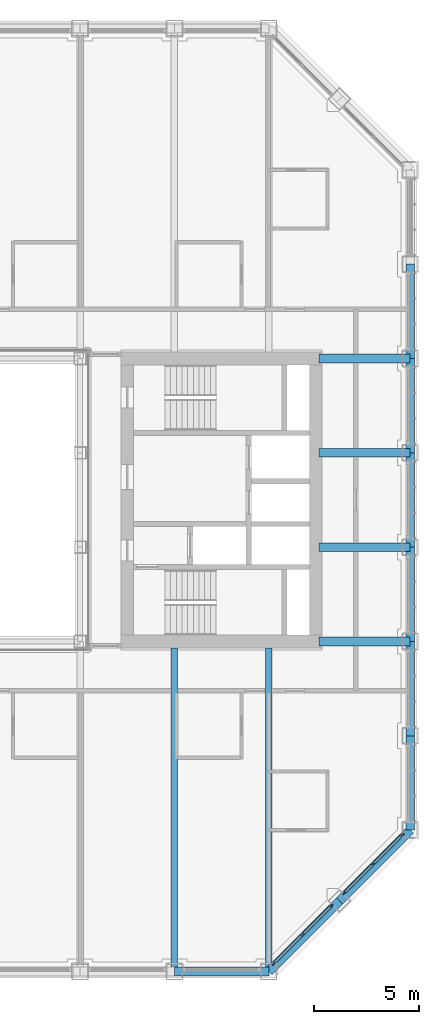
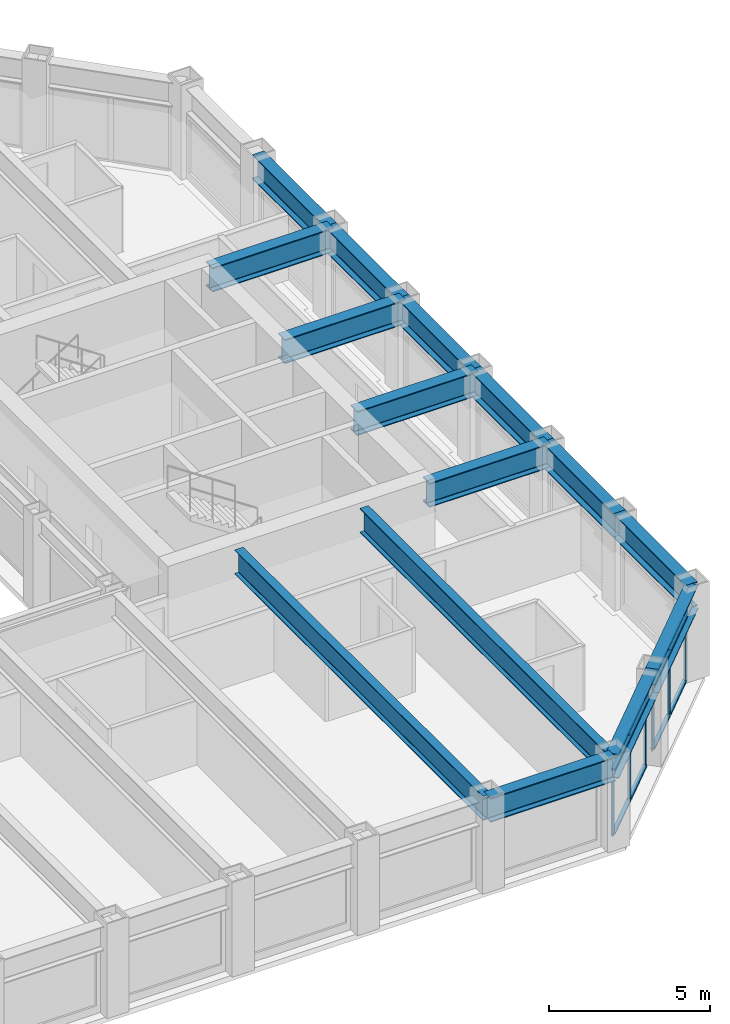
# One storey, part 6 of 17: 15 beams, 14 members, 2 elements without a shape of their own.
"""IFC4 building model written with IfcOpenShell, lengths in metres."""

import ifcopenshell
import ifcopenshell.guid

model = None  # the IFC model being written
_history = None  # IfcOwnerHistory: only IFC2X3 demands one
_inside = {}  # id of a spatial element -> (the spatial element, [elements in it])
_under = {}  # id of a project, library or spatial element -> (it, [spatial elements below it])
_declared = {}  # id of a project -> (the project, [libraries it declares])
_typed = {}  # id of a type object -> (the type object, [elements of that type])
_made_of = {}  # id of a material, layer set ... -> (it, [elements and type objects made of it])


def new_model(schema):
    """Start an empty IFC model of exactly this schema.

    Asked for "IFC4X3", IfcOpenShell would pick the latest addendum, in which some entities
    have other attributes; the version numbers below select the first issue.
    IFC2X3 requires an IfcOwnerHistory on every rooted entity: one is made here for all.
    """
    global model, _history
    if schema == "IFC4X3":
        model = ifcopenshell.file(schema_version=(4, 3, 0, 0))
    else:
        model = ifcopenshell.file(schema=schema)
    _inside.clear()
    _under.clear()
    _declared.clear()
    _typed.clear()
    _made_of.clear()
    _history = None
    if model.schema == "IFC2X3":
        org = make("IfcOrganization", Name="unknown")
        user = make(
            "IfcPersonAndOrganization",
            ThePerson=make("IfcPerson", FamilyName="unknown"),
            TheOrganization=org,
        )
        app = make(
            "IfcApplication",
            ApplicationDeveloper=org,
            Version="unknown",
            ApplicationFullName="unknown",
            ApplicationIdentifier="unknown",
        )
        _history = make(
            "IfcOwnerHistory",
            OwningUser=user,
            OwningApplication=app,
            ChangeAction="ADDED",
            CreationDate=0,
        )
    return model


def make(cls, **values):
    """One entity of the class cls with the attributes given. An attribute that is None is left unset."""
    return model.create_entity(
        cls, **{name: value for name, value in values.items() if value is not None}
    )


def rooted(cls, **values):
    """An entity with a GlobalId (a new one), such as an element, a storey or a relation."""
    return make(cls, GlobalId=ifcopenshell.guid.new(), OwnerHistory=_history, **values)


def si_unit(unit_type, name, prefix=None):
    """IfcSIUnit, for example si_unit("LENGTHUNIT", "METRE", prefix="MILLI")."""
    return make("IfcSIUnit", UnitType=unit_type, Prefix=prefix, Name=name)


def assignment(units):
    """IfcUnitAssignment: the units of a project."""
    return None if units is None else make("IfcUnitAssignment", Units=units)


def point(xyz):
    """IfcCartesianPoint."""
    return None if xyz is None else make("IfcCartesianPoint", Coordinates=xyz)


def direction(xyz):
    """IfcDirection."""
    return None if xyz is None else make("IfcDirection", DirectionRatios=xyz)


def frame(location, z_axis=None, x_axis=None):
    """IfcAxis2Placement3D, a coordinate frame: its origin and axes. An axis left out is left unset."""
    return make(
        "IfcAxis2Placement3D",
        Location=point(location),
        Axis=direction(z_axis),
        RefDirection=direction(x_axis),
    )


def frame_2d(location, x_axis=None):
    """IfcAxis2Placement2D, a coordinate frame in the plane: its origin and x axis."""
    return make(
        "IfcAxis2Placement2D", Location=point(location), RefDirection=direction(x_axis)
    )


def origin():
    """The frame at (0, 0, 0) with its axes left unset."""
    return frame((0.0, 0.0, 0.0))


def origin_2d():
    """The frame at (0, 0) in the plane with its x axis left unset."""
    return frame_2d((0.0, 0.0))


def place(relative_to, where):
    """IfcLocalPlacement: puts the frame where relative to a parent placement (None: the world)."""
    return make(
        "IfcLocalPlacement", PlacementRelTo=relative_to, RelativePlacement=where
    )


def context(
    kind, dimensions, precision=None, world=None, true_north=None, identifier=None
):
    """IfcGeometricRepresentationContext, for example the 3D "Model" context."""
    return make(
        "IfcGeometricRepresentationContext",
        ContextIdentifier=identifier,
        ContextType=kind,
        CoordinateSpaceDimension=dimensions,
        Precision=precision,
        WorldCoordinateSystem=world,
        TrueNorth=true_north,
    )


def subcontext(parent, identifier, kind, view, scale=None):
    """IfcGeometricRepresentationSubContext, for example "Body" below "Model"."""
    return make(
        "IfcGeometricRepresentationSubContext",
        ContextIdentifier=identifier,
        ContextType=kind,
        ParentContext=parent,
        TargetScale=scale,
        TargetView=view,
    )


def project(units=None, contexts=None):
    """IfcProject with its units and contexts."""
    return rooted(
        "IfcProject",
        Name="project",
        RepresentationContexts=contexts,
        UnitsInContext=assignment(units),
    )


def spatial(cls, under=None, at=None, **own):
    """A site, building, storey or space (cls), placed at a placement, below another one or the project."""
    s = rooted(cls, ObjectPlacement=at, **own)
    if under is not None:
        _under.setdefault(under.id(), (under, []))[1].append(s)
    return s


def profile(cls, at=None, kind="AREA", **sizes):
    """A parametric profile (cls). Its sizes go by their IFC names, for example OverallWidth=200.0."""
    return make(cls, ProfileType=kind, Position=at, **sizes)


def rectangle(**sizes):
    """IfcRectangleProfileDef."""
    return profile("IfcRectangleProfileDef", **sizes)


def i_section(**sizes):
    """IfcIShapeProfileDef."""
    return profile("IfcIShapeProfileDef", **sizes)


def extrude(swept, where, along, depth):
    """IfcExtrudedAreaSolid: the profile swept, set in the frame where, extruded along a direction by depth."""
    return make(
        "IfcExtrudedAreaSolid",
        SweptArea=swept,
        Position=where,
        ExtrudedDirection=direction(along),
        Depth=depth,
    )


def shape(context_of_items, identifier, shape_type, items):
    """IfcShapeRepresentation: the items that make up one representation, for example the "Body"."""
    return make(
        "IfcShapeRepresentation",
        ContextOfItems=context_of_items,
        RepresentationIdentifier=identifier,
        RepresentationType=shape_type,
        Items=items,
    )


def material(Name=None, Category=None):
    """IfcMaterial."""
    return make("IfcMaterial", Name=Name, Category=Category)


def material_profile(
    of_material, cross_section, Name=None, Category=None, Priority=None
):
    """IfcMaterialProfile: a cross section and its material."""
    return make(
        "IfcMaterialProfile",
        Name=Name,
        Material=of_material,
        Profile=cross_section,
        Priority=Priority,
        Category=Category,
    )


def profile_set(profiles, Name=None, composite=None):
    """IfcMaterialProfileSet."""
    return make(
        "IfcMaterialProfileSet",
        Name=Name,
        MaterialProfiles=profiles,
        CompositeProfile=composite,
    )


def made_of(thing, what):
    """Note that an element or type object is made of a material, layer set ...; save() writes the relation."""
    if what is not None:
        _made_of.setdefault(what.id(), (what, []))[1].append(thing)
    return thing


def type_object(cls, material=None, **own):
    """A type object (cls), such as IfcWallType, which elements share."""
    return made_of(rooted(cls, **own), material)


def element(
    cls,
    number,
    at=None,
    inside=None,
    cuts=None,
    type_object=None,
    material=None,
    context=None,
    identifier="Body",
    shape_type=None,
    held_by="IfcProductDefinitionShape",
    body=None,
    shapes=None,
    **own,
):
    """One element of the class cls, such as IfcWall. Its Tag is "e" and its number.

    at: its placement. inside: the storey or other place that contains it. cuts: it is an
    opening in that element (IfcRelVoidsElement). A single representation is given by context,
    identifier, shape_type and body (its items); several are given by shapes. held_by: the class
    of the entity that holds the representations. save() writes the other relations.
    """
    e = rooted(cls, Tag="e%d" % number, ObjectPlacement=at, **own)
    if body is not None:
        shapes = [shape(context, identifier, shape_type, body)]
    if shapes is not None:
        e.Representation = make(held_by, Representations=shapes)
    if inside is not None:
        _inside.setdefault(inside.id(), (inside, []))[1].append(e)
    if cuts is not None:
        rooted(
            "IfcRelVoidsElement", RelatingBuildingElement=cuts, RelatedOpeningElement=e
        )
    if type_object is not None:
        _typed.setdefault(type_object.id(), (type_object, []))[1].append(e)
    return made_of(e, material)


def aggregate(whole, parts):
    """IfcRelAggregates: a whole, such as a stair, and the parts it consists of."""
    return rooted("IfcRelAggregates", RelatingObject=whole, RelatedObjects=parts)


def save(model, path):
    """Write the relations noted so far, then the file.

    IfcRelAggregates (storeys below a building ...), IfcRelContainedInSpatialStructure (elements
    in a storey), IfcRelDefinesByType, IfcRelAssociatesMaterial and IfcRelDeclares: one each for
    every whole, place, type object, material and project.
    """
    for whole, parts in _under.values():
        aggregate(whole, parts)
    for where, things in _inside.values():
        rooted(
            "IfcRelContainedInSpatialStructure",
            RelatedElements=things,
            RelatingStructure=where,
        )
    for kind, things in _typed.values():
        rooted("IfcRelDefinesByType", RelatedObjects=things, RelatingType=kind)
    for what, things in _made_of.values():
        rooted("IfcRelAssociatesMaterial", RelatedObjects=things, RelatingMaterial=what)
    for by, libraries in _declared.values():
        rooted("IfcRelDeclares", RelatingContext=by, RelatedDefinitions=libraries)
    model.write(path)


model = new_model("IFC4")

# Units and contexts
model_context = context("Model", 3, precision=1e-05, world=origin(), true_north=direction((0.0, 1.0)))
body_context = subcontext(model_context, "Body", "Model", "MODEL_VIEW")
ifc_project = project(units=[si_unit("LENGTHUNIT", "METRE"), si_unit("AREAUNIT", "SQUARE_METRE"), si_unit("VOLUMEUNIT", "CUBIC_METRE"), si_unit("PLANEANGLEUNIT", "RADIAN"), si_unit("MASSUNIT", "GRAM", prefix="KILO")], contexts=[model_context])

# Site, building, storey
site_placement = place(None, origin())
site = spatial("IfcSite", under=ifc_project, at=site_placement, CompositionType="ELEMENT")
building_placement = place(site_placement, origin())
building = spatial("IfcBuilding", under=site, at=building_placement, Name="Msasa Ring Tower", CompositionType="ELEMENT")
storey_placement = place(building_placement, frame((0.0, 0.0, 143.60009765625)))
storey = spatial("IfcBuildingStorey", under=building, at=storey_placement, Name="L37", CompositionType="ELEMENT", Elevation=143.60009765625)

# Curtain wall, members
ifc_material_1 = material(Name="Aluminium curtain wall with clear glass", Category="aluminium")
curtain_wall_type = type_object("IfcCurtainWallType", Name="CW-C CHAMFER CORNER CURTAIN WALL", PredefinedType="NOTDEFINED", material=ifc_material_1)
curtain_wall_1_placement = place(storey_placement, origin())
curtain_wall_1 = element("IfcCurtainWall", 1, at=curtain_wall_1_placement, inside=storey, type_object=curtain_wall_type, Name="Chamfer corner curtain wall SE L37", PredefinedType="NOTDEFINED")
ifc_material_2 = material(Name="Aluminium mullion", Category="aluminium")
ifc_material_profile_1 = material_profile(ifc_material_2, rectangle(XDim=0.06494140625, YDim=0.179931640625, at=origin_2d()), Name="AL 65x180")
ifc_profile_set_1 = profile_set([ifc_material_profile_1], Name="Aluminium mullion")
member_type_1 = type_object("IfcMemberType", Name="CW-C MULLION 65x180", PredefinedType="MULLION", material=ifc_profile_set_1)
member_1_placement = place(storey_placement, frame((15.98876953125, -22.119873046875, 0.0), z_axis=(0.0, 0.0, 1.0), x_axis=(-0.707106781187, 0.707106781187, 0.0)))
member_1 = element("IfcMember", 2, at=member_1_placement, type_object=member_type_1, Name="CW-C mullion 1", PredefinedType="MULLION", context=body_context, shape_type="SweptSolid", body=[
    extrude(rectangle(XDim=0.06494140625, YDim=0.179931640625, at=origin_2d()), origin(), (0.0, 0.0, 1.0), 2.47900390625),
])
member_2_placement = place(storey_placement, frame((17.36669921875, -20.74169921875, 0.0), z_axis=(0.0, 0.0, 1.0), x_axis=(-0.707106781187, 0.707106781187, 0.0)))
member_2 = element("IfcMember", 3, at=member_2_placement, type_object=member_type_1, Name="CW-C mullion 2", PredefinedType="MULLION", context=body_context, shape_type="SweptSolid", body=[
    extrude(rectangle(XDim=0.06494140625, YDim=0.179931640625, at=origin_2d()), origin(), (0.0, 0.0, 1.0), 2.47900390625),
])
member_3_placement = place(storey_placement, frame((18.744873046875, -19.36376953125, 0.0), z_axis=(0.0, 0.0, 1.0), x_axis=(-0.707106781187, 0.707106781187, 0.0)))
member_3 = element("IfcMember", 4, at=member_3_placement, type_object=member_type_1, Name="CW-C mullion 3", PredefinedType="MULLION", context=body_context, shape_type="SweptSolid", body=[
    extrude(rectangle(XDim=0.06494140625, YDim=0.179931640625, at=origin_2d()), origin(), (0.0, 0.0, 1.0), 2.47900390625),
])

curtain_wall_2_placement = place(storey_placement, origin())
curtain_wall_2 = element("IfcCurtainWall", 5, at=curtain_wall_2_placement, inside=storey, type_object=curtain_wall_type, Name="Chamfer corner curtain wall SE L37", PredefinedType="NOTDEFINED")
member_4_placement = place(storey_placement, frame((19.36376953125, -18.744873046875, 0.0), z_axis=(0.0, 0.0, 1.0), x_axis=(-0.707106781187, 0.707106781187, 0.0)))
member_4 = element("IfcMember", 6, at=member_4_placement, type_object=member_type_1, Name="CW-C mullion 1", PredefinedType="MULLION", context=body_context, shape_type="SweptSolid", body=[
    extrude(rectangle(XDim=0.06494140625, YDim=0.179931640625, at=origin_2d()), origin(), (0.0, 0.0, 1.0), 2.47900390625),
])
member_5_placement = place(storey_placement, frame((20.74169921875, -17.36669921875, 0.0), z_axis=(0.0, 0.0, 1.0), x_axis=(-0.707106781187, 0.707106781187, 0.0)))
member_5 = element("IfcMember", 7, at=member_5_placement, type_object=member_type_1, Name="CW-C mullion 2", PredefinedType="MULLION", context=body_context, shape_type="SweptSolid", body=[
    extrude(rectangle(XDim=0.06494140625, YDim=0.179931640625, at=origin_2d()), origin(), (0.0, 0.0, 1.0), 2.47900390625),
])
member_6_placement = place(storey_placement, frame((22.119873046875, -15.98876953125, 0.0), z_axis=(0.0, 0.0, 1.0), x_axis=(-0.707106781187, 0.707106781187, 0.0)))
member_6 = element("IfcMember", 8, at=member_6_placement, type_object=member_type_1, Name="CW-C mullion 3", PredefinedType="MULLION", context=body_context, shape_type="SweptSolid", body=[
    extrude(rectangle(XDim=0.06494140625, YDim=0.179931640625, at=origin_2d()), origin(), (0.0, 0.0, 1.0), 2.47900390625),
])

# Member
ifc_material_3 = material(Name="Aluminium transom", Category="aluminium")
ifc_material_profile_2 = material_profile(ifc_material_3, rectangle(XDim=0.139892578125, YDim=0.06494140625, at=origin_2d()), Name="AL 65x140")
ifc_profile_set_2 = profile_set([ifc_material_profile_2], Name="Aluminium transom")
member_type_2 = type_object("IfcMemberType", Name="CW-C TRANSOM 65x140", PredefinedType="USERDEFINED", material=ifc_profile_set_2)
member_7_placement = place(storey_placement, frame((16.01171875, -22.096923828125, 0.032470703125), z_axis=(0.707106781187, 0.707106781187, 0.0), x_axis=(-0.707106781187, 0.707106781187, 0.0)))
member_7 = element("IfcMember", 9, at=member_7_placement, type_object=member_type_2, Name="CW-C transom 1.1", ObjectType="TRANSOM", PredefinedType="USERDEFINED", context=body_context, shape_type="SweptSolid", body=[
    extrude(rectangle(XDim=0.139892578125, YDim=0.06494140625, at=origin_2d()), origin(), (0.0, 0.0, 1.0), 1.8837890625),
])

member_8_placement = place(storey_placement, frame((16.01171875, -22.096923828125, 2.4462890625), z_axis=(0.707106781187, 0.707106781187, 0.0), x_axis=(-0.707106781187, 0.707106781187, 0.0)))
member_8 = element("IfcMember", 10, at=member_8_placement, type_object=member_type_2, Name="CW-C transom 1.2", ObjectType="TRANSOM", PredefinedType="USERDEFINED", context=body_context, shape_type="SweptSolid", body=[
    extrude(rectangle(XDim=0.139892578125, YDim=0.06494140625, at=origin_2d()), origin(), (0.0, 0.0, 1.0), 1.8837890625),
])

member_9_placement = place(storey_placement, frame((17.389892578125, -20.71875, 0.032470703125), z_axis=(0.707106781187, 0.707106781187, 0.0), x_axis=(-0.707106781187, 0.707106781187, 0.0)))
member_9 = element("IfcMember", 11, at=member_9_placement, type_object=member_type_2, Name="CW-C transom 2.1", ObjectType="TRANSOM", PredefinedType="USERDEFINED", context=body_context, shape_type="SweptSolid", body=[
    extrude(rectangle(XDim=0.139892578125, YDim=0.06494140625, at=origin_2d()), origin(), (0.0, 0.0, 1.0), 1.8837890625),
])

member_10_placement = place(storey_placement, frame((17.389892578125, -20.71875, 2.4462890625), z_axis=(0.707106781187, 0.707106781187, 0.0), x_axis=(-0.707106781187, 0.707106781187, 0.0)))
member_10 = element("IfcMember", 12, at=member_10_placement, type_object=member_type_2, Name="CW-C transom 2.2", ObjectType="TRANSOM", PredefinedType="USERDEFINED", context=body_context, shape_type="SweptSolid", body=[
    extrude(rectangle(XDim=0.139892578125, YDim=0.06494140625, at=origin_2d()), origin(), (0.0, 0.0, 1.0), 1.8837890625),
])

aggregate(curtain_wall_1, [member_1, member_2, member_3, member_7, member_8, member_9, member_10])

member_11_placement = place(storey_placement, frame((19.38671875, -18.721923828125, 0.032470703125), z_axis=(0.707106781187, 0.707106781187, 0.0), x_axis=(-0.707106781187, 0.707106781187, 0.0)))
member_11 = element("IfcMember", 13, at=member_11_placement, type_object=member_type_2, Name="CW-C transom 1.1", ObjectType="TRANSOM", PredefinedType="USERDEFINED", context=body_context, shape_type="SweptSolid", body=[
    extrude(rectangle(XDim=0.139892578125, YDim=0.06494140625, at=origin_2d()), origin(), (0.0, 0.0, 1.0), 1.8837890625),
])

member_12_placement = place(storey_placement, frame((19.38671875, -18.721923828125, 2.4462890625), z_axis=(0.707106781187, 0.707106781187, 0.0), x_axis=(-0.707106781187, 0.707106781187, 0.0)))
member_12 = element("IfcMember", 14, at=member_12_placement, type_object=member_type_2, Name="CW-C transom 1.2", ObjectType="TRANSOM", PredefinedType="USERDEFINED", context=body_context, shape_type="SweptSolid", body=[
    extrude(rectangle(XDim=0.139892578125, YDim=0.06494140625, at=origin_2d()), origin(), (0.0, 0.0, 1.0), 1.8837890625),
])

member_13_placement = place(storey_placement, frame((20.764892578125, -17.34375, 0.032470703125), z_axis=(0.707106781187, 0.707106781187, 0.0), x_axis=(-0.707106781187, 0.707106781187, 0.0)))
member_13 = element("IfcMember", 15, at=member_13_placement, type_object=member_type_2, Name="CW-C transom 2.1", ObjectType="TRANSOM", PredefinedType="USERDEFINED", context=body_context, shape_type="SweptSolid", body=[
    extrude(rectangle(XDim=0.139892578125, YDim=0.06494140625, at=origin_2d()), origin(), (0.0, 0.0, 1.0), 1.8837890625),
])

member_14_placement = place(storey_placement, frame((20.764892578125, -17.34375, 2.4462890625), z_axis=(0.707106781187, 0.707106781187, 0.0), x_axis=(-0.707106781187, 0.707106781187, 0.0)))
member_14 = element("IfcMember", 16, at=member_14_placement, type_object=member_type_2, Name="CW-C transom 2.2", ObjectType="TRANSOM", PredefinedType="USERDEFINED", context=body_context, shape_type="SweptSolid", body=[
    extrude(rectangle(XDim=0.139892578125, YDim=0.06494140625, at=origin_2d()), origin(), (0.0, 0.0, 1.0), 1.8837890625),
])

aggregate(curtain_wall_2, [member_4, member_5, member_6, member_11, member_12, member_13, member_14])

# Beams
ifc_material_4 = material(Name="Steel S355", Category="steel")
ifc_material_profile_3 = material_profile(ifc_material_4, i_section(OverallWidth=0.42041015625, OverallDepth=0.9208984375, WebThickness=0.021484375, FlangeThickness=0.03662109375, FilletRadius=0.024169921875, at=origin_2d()), Name="UB 914x419x388")
ifc_profile_set_3 = profile_set([ifc_material_profile_3], Name="Steel S355")
beam_type_1 = type_object("IfcBeamType", Name="FB2 UB 914x419x388", PredefinedType="BEAM", material=ifc_profile_set_3)
for number, where, z_axis, x_axis, name in (
    (17, (22.5, -2.25, 2.939453125), (-1.0, 0.0, 0.0), (0.0, -1.0, 0.0), "Floor beam E -2.25 under L38"),
    (18, (22.5, 2.25, 2.939453125), (-1.0, 0.0, 0.0), (0.0, -1.0, 0.0), "Floor beam E +2.25 under L38"),
):
    element("IfcBeam", number, at=place(storey_placement, frame(where, z_axis=z_axis, x_axis=x_axis)), inside=storey, type_object=beam_type_1, Name=name, PredefinedType="BEAM", context=body_context, shape_type="SweptSolid", body=[
        extrude(i_section(OverallWidth=0.42041015625, OverallDepth=0.9208984375, WebThickness=0.021484375, FlangeThickness=0.03662109375, FilletRadius=0.024169921875, at=origin_2d()), origin(), (0.0, 0.0, 1.0), 4.35009765625),
    ])
ifc_material_5 = material(Name="Steel S355", Category="steel")
ifc_material_profile_4 = material_profile(ifc_material_5, i_section(OverallWidth=0.3076171875, OverallDepth=0.926513671875, WebThickness=0.01953125, FlangeThickness=0.031982421875, FilletRadius=0.01904296875, at=origin_2d()), Name="UB 914x305x289")
ifc_profile_set_4 = profile_set([ifc_material_profile_4], Name="Steel S355")
beam_type_2 = type_object("IfcBeamType", Name="FB3 UB 914x305x289", PredefinedType="BEAM", material=ifc_profile_set_4)
for number, where, z_axis, x_axis, name in (
    (19, (11.25, -22.5, 2.9365234375), (0.0, 1.0, 0.0), (-1.0, 0.0, 0.0), "Floor beam S+11.25 under L38"),
    (20, (15.75, -22.5, 2.9365234375), (0.0, 1.0, 0.0), (-1.0, 0.0, 0.0), "Floor beam S+15.75 under L38"),
):
    element("IfcBeam", number, at=place(storey_placement, frame(where, z_axis=z_axis, x_axis=x_axis)), inside=storey, type_object=beam_type_2, Name=name, PredefinedType="BEAM", context=body_context, shape_type="SweptSolid", body=[
        extrude(i_section(OverallWidth=0.3076171875, OverallDepth=0.926513671875, WebThickness=0.01953125, FlangeThickness=0.031982421875, FilletRadius=0.01904296875, at=origin_2d()), origin(), (0.0, 0.0, 1.0), 15.449951171875),
    ])
ifc_material_6 = material(Name="Steel S355", Category="steel")
ifc_material_profile_5 = material_profile(ifc_material_6, i_section(OverallWidth=0.42041015625, OverallDepth=0.9208984375, WebThickness=0.021484375, FlangeThickness=0.03662109375, FilletRadius=0.024169921875, at=origin_2d()), Name="UB 914x419x388")
ifc_profile_set_5 = profile_set([ifc_material_profile_5], Name="Steel S355")
beam_type_3 = type_object("IfcBeamType", Name="GB1 UB 914x419x388", PredefinedType="BEAM", material=ifc_profile_set_5)
for number, where, z_axis, x_axis, name in (
    (21, (18.14990234375, 6.75, 2.939453125), (1.0, 0.0, 0.0), (0.0, 1.0, 0.0), "Girder E +6.75 under L38"),
    (22, (18.14990234375, -6.75, 2.939453125), (1.0, 0.0, 0.0), (0.0, 1.0, 0.0), "Girder E -6.75 under L38"),
):
    element("IfcBeam", number, at=place(storey_placement, frame(where, z_axis=z_axis, x_axis=x_axis)), inside=storey, type_object=beam_type_3, Name=name, PredefinedType="BEAM", context=body_context, shape_type="SweptSolid", body=[
        extrude(i_section(OverallWidth=0.42041015625, OverallDepth=0.9208984375, WebThickness=0.021484375, FlangeThickness=0.03662109375, FilletRadius=0.024169921875, at=origin_2d()), origin(), (0.0, 0.0, 1.0), 4.35009765625),
    ])
ifc_material_7 = material(Name="Steel S355", Category="steel")
ifc_material_profile_6 = material_profile(ifc_material_7, i_section(OverallWidth=0.42041015625, OverallDepth=0.9208984375, WebThickness=0.021484375, FlangeThickness=0.03662109375, FilletRadius=0.024169921875, at=origin_2d()), Name="UB 914x419x388")
ifc_profile_set_6 = profile_set([ifc_material_profile_6], Name="Steel S355")
beam_type_4 = type_object("IfcBeamType", Name="SB1 UB 914x419x388", PredefinedType="SPANDREL", material=ifc_profile_set_6)
beam_placement = place(storey_placement, frame((11.25, -22.5, 2.939453125), z_axis=(1.0, 0.0, 0.0), x_axis=(0.0, 1.0, 0.0)))
element("IfcBeam", 23, at=beam_placement, inside=storey, type_object=beam_type_4, Name="Spandrel S+11.25 to S+15.75 under L38", PredefinedType="SPANDREL", context=body_context, shape_type="SweptSolid", body=[
    extrude(i_section(OverallWidth=0.42041015625, OverallDepth=0.9208984375, WebThickness=0.021484375, FlangeThickness=0.03662109375, FilletRadius=0.024169921875, at=origin_2d()), origin(), (0.0, 0.0, 1.0), 4.5),
])
for number, where, z_axis, x_axis, name in (
    (24, (15.75, -22.5, 2.939453125), (0.707106781187, 0.707106781187, 0.0), (-0.707106781187, 0.707106781187, 0.0), "Spandrel S+15.75 to SE under L38"),
    (25, (19.125, -19.125, 2.939453125), (0.707106781187, 0.707106781187, 0.0), (-0.707106781187, 0.707106781187, 0.0), "Spandrel SE to E-15.75 under L38"),
):
    element("IfcBeam", number, at=place(storey_placement, frame(where, z_axis=z_axis, x_axis=x_axis)), inside=storey, type_object=beam_type_4, Name=name, PredefinedType="SPANDREL", context=body_context, shape_type="SweptSolid", body=[
        extrude(i_section(OverallWidth=0.42041015625, OverallDepth=0.9208984375, WebThickness=0.021484375, FlangeThickness=0.03662109375, FilletRadius=0.024169921875, at=origin_2d()), origin(), (0.0, 0.0, 1.0), 4.77294921875),
    ])
for number, where, z_axis, x_axis, name in (
    (26, (22.5, -15.75, 2.939453125), (0.0, 1.0, 0.0), (-1.0, 0.0, 0.0), "Spandrel E-15.75 to E-11.25 under L38"),
    (27, (22.5, -11.25, 2.939453125), (0.0, 1.0, 0.0), (-1.0, 0.0, 0.0), "Spandrel E-11.25 to E-6.75 under L38"),
    (28, (22.5, -6.75, 2.939453125), (0.0, 1.0, 0.0), (-1.0, 0.0, 0.0), "Spandrel E-6.75 to E-2.25 under L38"),
    (29, (22.5, -2.25, 2.939453125), (0.0, 1.0, 0.0), (-1.0, 0.0, 0.0), "Spandrel E-2.25 to E+2.25 under L38"),
    (30, (22.5, 2.25, 2.939453125), (0.0, 1.0, 0.0), (-1.0, 0.0, 0.0), "Spandrel E+2.25 to E+6.75 under L38"),
    (31, (22.5, 6.75, 2.939453125), (0.0, 1.0, 0.0), (-1.0, 0.0, 0.0), "Spandrel E+6.75 to E+11.25 under L38"),
):
    element("IfcBeam", number, at=place(storey_placement, frame(where, z_axis=z_axis, x_axis=x_axis)), inside=storey, type_object=beam_type_4, Name=name, PredefinedType="SPANDREL", context=body_context, shape_type="SweptSolid", body=[
        extrude(i_section(OverallWidth=0.42041015625, OverallDepth=0.9208984375, WebThickness=0.021484375, FlangeThickness=0.03662109375, FilletRadius=0.024169921875, at=origin_2d()), origin(), (0.0, 0.0, 1.0), 4.5),
    ])

save(model, "model.ifc")
